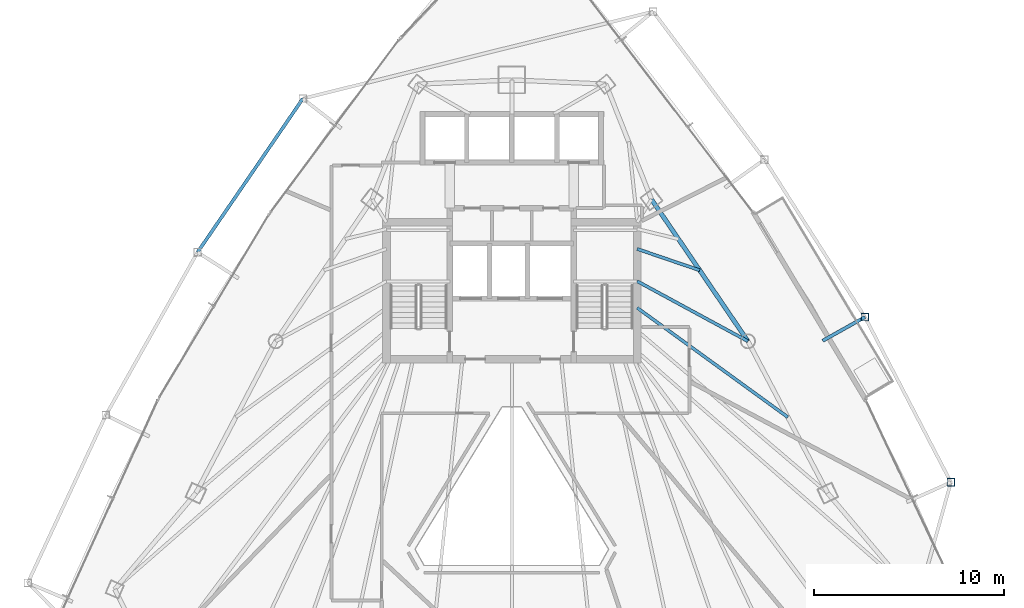
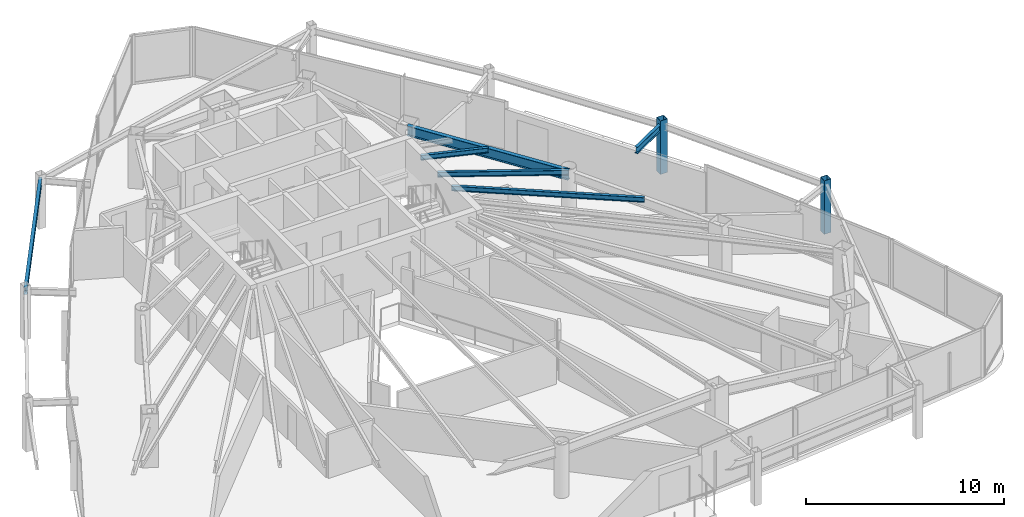
# One storey, part 18 of 31: 6 beams, 2 members.
"""IFC4 building model written with IfcOpenShell, lengths in metres."""

from ifc_helpers import new_model, si_unit, direction, frame, origin, origin_2d, place, context, subcontext, project, spatial, hollow_rectangle, i_section, extrude, material, material_profile, profile_set, type_object, element, save


model = new_model("IFC4")

# Units and contexts
model_context = context("Model", 3, precision=1e-05, world=origin(), true_north=direction((0.0, 1.0)))
body_context = subcontext(model_context, "Body", "Model", "MODEL_VIEW")
ifc_project = project(units=[si_unit("LENGTHUNIT", "METRE"), si_unit("AREAUNIT", "SQUARE_METRE"), si_unit("VOLUMEUNIT", "CUBIC_METRE"), si_unit("PLANEANGLEUNIT", "RADIAN"), si_unit("MASSUNIT", "GRAM", prefix="KILO")], contexts=[model_context])

# Site, building, storey
site_placement = place(None, origin())
site = spatial("IfcSite", under=ifc_project, at=site_placement, CompositionType="ELEMENT")
building_placement = place(site_placement, origin())
building = spatial("IfcBuilding", under=site, at=building_placement, Name="Orvanel Arch Residences", CompositionType="ELEMENT")
storey_placement = place(building_placement, frame((0.0, 0.0, 126.5)))
storey = spatial("IfcBuildingStorey", under=building, at=storey_placement, Name="L35", CompositionType="ELEMENT", Elevation=126.5)

# Beams
ifc_material_1 = material(Name="Structural steel AS/NZS 3679.1 Grade 300 (300 MPa)", Category="steel")
ifc_material_profile_1 = material_profile(ifc_material_1, i_section(OverallWidth=0.1650390625, OverallDepth=0.303955078125, WebThickness=0.006103515625, FlangeThickness=0.01025390625, at=origin_2d()), Name="310UB40.4")
ifc_profile_set_1 = profile_set([ifc_material_profile_1], Name="Structural steel AS/NZS 3679.1 Grade 300 (300 MPa)")
beam_type_1 = type_object("IfcBeamType", Name="BJ-310UB", PredefinedType="JOIST", material=ifc_profile_set_1)
beam_1_placement = place(storey_placement, frame((39.60009765625, 30.800048828125, 2.907958984375), z_axis=(0.87925534649, -0.476350748576, 0.0), x_axis=(0.476350748576, 0.87925534649, 0.0)))
element("IfcBeam", 1, at=beam_1_placement, inside=storey, type_object=beam_type_1, Name="L35 NE Wing Floor Joist", PredefinedType="JOIST", context=body_context, shape_type="SweptSolid", body=[
    extrude(i_section(OverallWidth=0.1650390625, OverallDepth=0.303955078125, WebThickness=0.006103515625, FlangeThickness=0.01025390625, at=origin_2d()), origin(), (0.0, 0.0, 1.0), 6.631591796875),
])
beam_2_placement = place(storey_placement, frame((39.60009765625, 32.5, 2.907958984375), z_axis=(0.9464126781, -0.322959815969, 0.0), x_axis=(0.322959815969, 0.9464126781, 0.0)))
element("IfcBeam", 2, at=beam_2_placement, inside=storey, type_object=beam_type_1, Name="L35 ENE Wing Floor Joist", PredefinedType="JOIST", context=body_context, shape_type="SweptSolid", body=[
    extrude(i_section(OverallWidth=0.1650390625, OverallDepth=0.303955078125, WebThickness=0.006103515625, FlangeThickness=0.01025390625, at=origin_2d()), origin(), (0.0, 0.0, 1.0), 3.477294921875),
])
beam_3_placement = place(storey_placement, frame((39.60009765625, 29.39990234375, 2.907958984375), z_axis=(0.809261403954, -0.587448704203, 0.0), x_axis=(0.587448704203, 0.809261403954, 0.0)))
element("IfcBeam", 3, at=beam_3_placement, inside=storey, type_object=beam_type_1, Name="L35 CTE Wing Floor Joist", PredefinedType="JOIST", context=body_context, shape_type="SweptSolid", body=[
    extrude(i_section(OverallWidth=0.1650390625, OverallDepth=0.303955078125, WebThickness=0.006103515625, FlangeThickness=0.01025390625, at=origin_2d()), origin(), (0.0, 0.0, 1.0), 9.80126953125),
])
ifc_material_profile_2 = material_profile(ifc_material_1, i_section(OverallWidth=0.177978515625, OverallDepth=0.406005859375, WebThickness=0.0078125, FlangeThickness=0.0126953125, at=origin_2d()), Name="410UB59.7")
ifc_profile_set_2 = profile_set([ifc_material_profile_2], Name="Structural steel AS/NZS 3679.1 Grade 300 (300 MPa)")
beam_type_2 = type_object("IfcBeamType", Name="OB-410UB-EXT", PredefinedType="SPANDREL", material=ifc_profile_set_2)
beam_4_placement = place(storey_placement, frame((21.998046875, 40.4140625, 2.85693359375), z_axis=(-0.565307686452, -0.824880124405, 0.0), x_axis=(0.824880124405, -0.565307686452, 0.0)))
element("IfcBeam", 4, at=beam_4_placement, inside=storey, type_object=beam_type_2, Name="L35 Outer Perimeter Floor Ring Beam 01", PredefinedType="SPANDREL", context=body_context, shape_type="SweptSolid", body=[
    extrude(i_section(OverallWidth=0.177978515625, OverallDepth=0.406005859375, WebThickness=0.0078125, FlangeThickness=0.0126953125, at=origin_2d()), origin(), (0.0, 0.0, 1.0), 9.80517578125),
])
beam_5_placement = place(storey_placement, frame((49.368896484375, 27.6650390625, 2.85693359375), z_axis=(0.871826000081, 0.489815705734, 0.0), x_axis=(-0.489815705734, 0.871826000081, 0.0)))
element("IfcBeam", 5, at=beam_5_placement, inside=storey, type_object=beam_type_2, Name="L35 Outer Frame Radial Tie Beam 10", PredefinedType="SPANDREL", context=body_context, shape_type="SweptSolid", body=[
    extrude(i_section(OverallWidth=0.177978515625, OverallDepth=0.406005859375, WebThickness=0.0078125, FlangeThickness=0.0126953125, at=origin_2d()), origin(), (0.0, 0.0, 1.0), 2.550048828125),
])
ifc_material_profile_3 = material_profile(ifc_material_1, i_section(OverallWidth=0.22900390625, OverallDepth=0.612060546875, WebThickness=0.011962890625, FlangeThickness=0.01953125, at=origin_2d()), Name="610UB125")
ifc_profile_set_3 = profile_set([ifc_material_profile_3], Name="Structural steel AS/NZS 3679.1 Grade 300 (300 MPa)")
beam_type_3 = type_object("IfcBeamType", Name="SP-610UB", PredefinedType="SPANDREL", material=ifc_profile_set_3)
beam_6_placement = place(storey_placement, frame((45.430908203125, 27.64111328125, 2.75390625), z_axis=(-0.562154793153, 0.827032035978, 0.0), x_axis=(-0.827032035978, -0.562154793153, 0.0)))
element("IfcBeam", 6, at=beam_6_placement, inside=storey, type_object=beam_type_3, Name="L35 Perimeter Spandrel Beam 12", PredefinedType="SPANDREL", context=body_context, shape_type="SweptSolid", body=[
    extrude(i_section(OverallWidth=0.22900390625, OverallDepth=0.612060546875, WebThickness=0.011962890625, FlangeThickness=0.01953125, at=origin_2d()), origin(), (0.0, 0.0, 1.0), 9.03466796875),
])

# Members
ifc_material_2 = material(Name="Structural steel AS/NZS 1163 C450L0 (Grade 450)", Category="steel")
ifc_material_profile_4 = material_profile(ifc_material_2, hollow_rectangle(XDim=0.39990234375, YDim=0.39990234375, WallThickness=0.01611328125, at=origin_2d()), Name="SHS400x400x16")
ifc_profile_set_4 = profile_set([ifc_material_profile_4], Name="Structural steel AS/NZS 1163 C450L0 (Grade 450)")
member_type = type_object("IfcMemberType", Name="ST-400SHS-EXT", PredefinedType="STRUT", material=ifc_profile_set_4)
for number, where, z_axis, x_axis, name in (
    (7, (56.117919921875, 20.215087890625, 0.0), (0.0, 0.0, 1.0), (1.0, 0.0, 0.0), "L35 Outer Perimeter Frame Post 09"),
    (8, (51.592041015625, 28.9140625, 0.0), (0.0, 0.0, 1.0), (1.0, 0.0, 0.0), "L35 Outer Perimeter Frame Post 10"),
):
    element("IfcMember", number, at=place(storey_placement, frame(where, z_axis=z_axis, x_axis=x_axis)), inside=storey, type_object=member_type, Name=name, PredefinedType="STRUT", context=body_context, shape_type="SweptSolid", body=[
        extrude(hollow_rectangle(XDim=0.39990234375, YDim=0.39990234375, WallThickness=0.01611328125, at=origin_2d()), origin(), (0.0, 0.0, 1.0), 3.300048828125),
    ])

save(model, "model.ifc")
